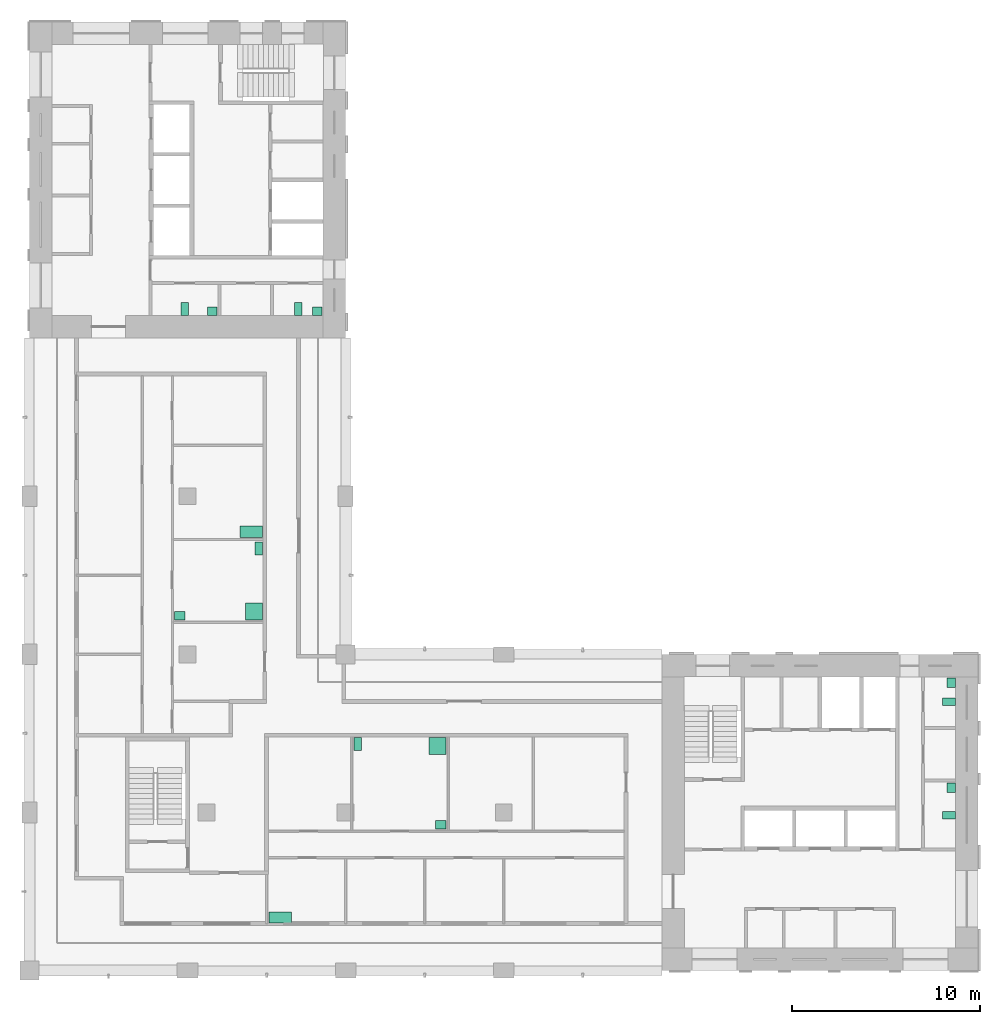
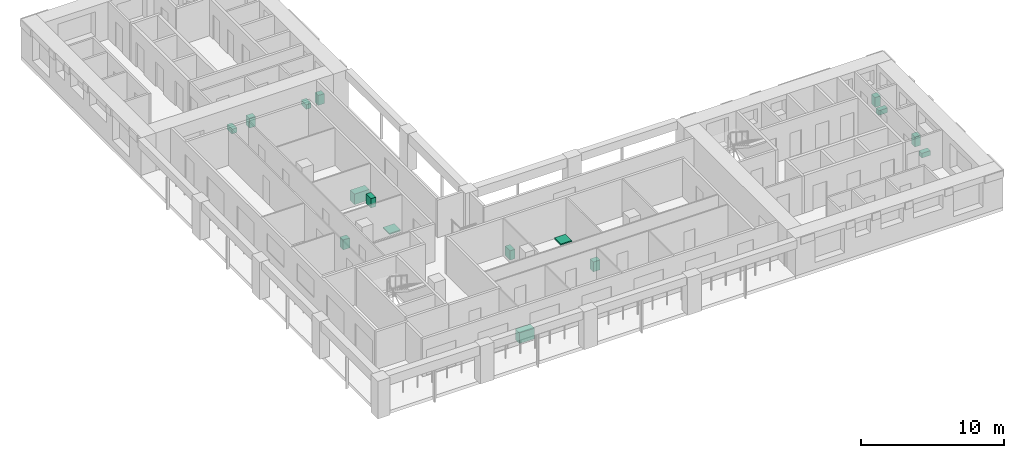
# One storey, part 9 of 9: 16 sanitary terminals.
"""IFC4 building model written with IfcOpenShell, lengths in metres."""

from ifc_helpers import new_model, si_unit, direction, frame, origin, origin_2d, place, context, subcontext, project, spatial, rectangle, extrude, material, element, save


model = new_model("IFC4")

# Units and contexts
model_context = context("Model", 3, precision=1e-05, world=origin(), true_north=direction((0.0, 1.0)))
body_context = subcontext(model_context, "Body", "Model", "MODEL_VIEW")
ifc_project = project(units=[si_unit("LENGTHUNIT", "METRE"), si_unit("AREAUNIT", "SQUARE_METRE"), si_unit("VOLUMEUNIT", "CUBIC_METRE"), si_unit("PLANEANGLEUNIT", "RADIAN"), si_unit("MASSUNIT", "GRAM", prefix="KILO")], contexts=[model_context])

# Site, building, storey
site_placement = place(None, origin())
site = spatial("IfcSite", under=ifc_project, at=site_placement, CompositionType="ELEMENT")
building_placement = place(site_placement, origin())
building = spatial("IfcBuilding", under=site, at=building_placement, Name="Vermilion Gate Residences", CompositionType="ELEMENT")
storey_placement = place(building_placement, frame((0.0, 0.0, 231.699951171875)))
storey = spatial("IfcBuildingStorey", under=building, at=storey_placement, Name="L60", CompositionType="ELEMENT", Elevation=231.699951171875)

# Sanitary terminals
ifc_material_1 = material(Name="Vitreous china")
sanitary_terminal_1_placement = place(storey_placement, frame((57.25, 16.659912109375, 0.0), z_axis=(0.0, 0.0, 1.0), x_axis=(1.0, 0.0, 0.0)))
element("IfcSanitaryTerminal", 1, at=sanitary_terminal_1_placement, inside=storey, material=ifc_material_1, Name="Toilet pan A60", PredefinedType="TOILETPAN", context=body_context, shape_type="SweptSolid", body=[
    extrude(rectangle(XDim=0.699951171875, YDim=0.39990234375, at=origin_2d()), origin(), (0.0, 0.0, 1.0), 0.39990234375),
])
sanitary_terminal_2_placement = place(storey_placement, frame((57.375, 18.1201171875, 0.0), z_axis=(0.0, 0.0, 1.0), x_axis=(1.0, 0.0, 0.0)))
element("IfcSanitaryTerminal", 2, at=sanitary_terminal_2_placement, inside=storey, material=ifc_material_1, Name="Washbasin A60", PredefinedType="WASHHANDBASIN", context=body_context, shape_type="SweptSolid", body=[
    extrude(rectangle(XDim=0.449951171875, YDim=0.5, at=origin_2d()), origin(), (0.0, 0.0, 1.0), 0.85009765625),
])
sanitary_terminal_3_placement = place(storey_placement, frame((57.25, 22.679931640625, 0.0), z_axis=(0.0, 0.0, 1.0), x_axis=(1.0, 0.0, 0.0)))
element("IfcSanitaryTerminal", 3, at=sanitary_terminal_3_placement, inside=storey, material=ifc_material_1, Name="Toilet pan A60", PredefinedType="TOILETPAN", context=body_context, shape_type="SweptSolid", body=[
    extrude(rectangle(XDim=0.699951171875, YDim=0.39990234375, at=origin_2d()), origin(), (0.0, 0.0, 1.0), 0.39990234375),
])
sanitary_terminal_4_placement = place(storey_placement, frame((57.375, 23.699951171875, 0.0), z_axis=(0.0, 0.0, 1.0), x_axis=(1.0, 0.0, 0.0)))
element("IfcSanitaryTerminal", 4, at=sanitary_terminal_4_placement, inside=storey, material=ifc_material_1, Name="Washbasin A60", PredefinedType="WASHHANDBASIN", context=body_context, shape_type="SweptSolid", body=[
    extrude(rectangle(XDim=0.449951171875, YDim=0.5, at=origin_2d()), origin(), (0.0, 0.0, 1.0), 0.85009765625),
])
sanitary_terminal_5_placement = place(storey_placement, frame((16.659912109375, 43.550048828125, 0.0), z_axis=(0.0, 0.0, 1.0), x_axis=(1.0, 0.0, 0.0)))
element("IfcSanitaryTerminal", 5, at=sanitary_terminal_5_placement, inside=storey, material=ifc_material_1, Name="Toilet pan B60", PredefinedType="TOILETPAN", context=body_context, shape_type="SweptSolid", body=[
    extrude(rectangle(XDim=0.39990234375, YDim=0.699951171875, at=origin_2d()), origin(), (0.0, 0.0, 1.0), 0.39990234375),
])
sanitary_terminal_6_placement = place(storey_placement, frame((18.1201171875, 43.425048828125, 0.0), z_axis=(0.0, 0.0, 1.0), x_axis=(1.0, 0.0, 0.0)))
element("IfcSanitaryTerminal", 6, at=sanitary_terminal_6_placement, inside=storey, material=ifc_material_1, Name="Washbasin B60", PredefinedType="WASHHANDBASIN", context=body_context, shape_type="SweptSolid", body=[
    extrude(rectangle(XDim=0.5, YDim=0.449951171875, at=origin_2d()), origin(), (0.0, 0.0, 1.0), 0.85009765625),
])
sanitary_terminal_7_placement = place(storey_placement, frame((22.679931640625, 43.550048828125, 0.0), z_axis=(0.0, 0.0, 1.0), x_axis=(1.0, 0.0, 0.0)))
element("IfcSanitaryTerminal", 7, at=sanitary_terminal_7_placement, inside=storey, material=ifc_material_1, Name="Toilet pan B60", PredefinedType="TOILETPAN", context=body_context, shape_type="SweptSolid", body=[
    extrude(rectangle(XDim=0.39990234375, YDim=0.699951171875, at=origin_2d()), origin(), (0.0, 0.0, 1.0), 0.39990234375),
])
sanitary_terminal_8_placement = place(storey_placement, frame((23.699951171875, 43.425048828125, 0.0), z_axis=(0.0, 0.0, 1.0), x_axis=(1.0, 0.0, 0.0)))
element("IfcSanitaryTerminal", 8, at=sanitary_terminal_8_placement, inside=storey, material=ifc_material_1, Name="Washbasin B60", PredefinedType="WASHHANDBASIN", context=body_context, shape_type="SweptSolid", body=[
    extrude(rectangle(XDim=0.5, YDim=0.449951171875, at=origin_2d()), origin(), (0.0, 0.0, 1.0), 0.85009765625),
])
ifc_material_2 = material(Name="Stainless steel", Category="steel")
sanitary_terminal_9_placement = place(storey_placement, frame((21.719970703125, 11.219970703125, 0.0), z_axis=(0.0, 0.0, 1.0), x_axis=(1.0, 0.0, 0.0)))
element("IfcSanitaryTerminal", 9, at=sanitary_terminal_9_placement, inside=storey, material=ifc_material_2, Name="Kitchen sink", PredefinedType="SINK", context=body_context, shape_type="SweptSolid", body=[
    extrude(rectangle(XDim=1.199951171875, YDim=0.60009765625, at=origin_2d()), origin(), (0.0, 0.0, 1.0), 0.89990234375),
])
sanitary_terminal_10_placement = place(storey_placement, frame((30.080078125, 20.330078125, 0.0), z_axis=(0.0, 0.0, 1.0), x_axis=(1.0, 0.0, 0.0)))
element("IfcSanitaryTerminal", 10, at=sanitary_terminal_10_placement, inside=storey, material=ifc_material_1, Name="Shower tray", PredefinedType="SHOWER", context=body_context, shape_type="SweptSolid", body=[
    extrude(rectangle(XDim=0.89990234375, YDim=0.89990234375, at=origin_2d()), origin(), (0.0, 0.0, 1.0), 0.10009765625),
])
sanitary_terminal_11_placement = place(storey_placement, frame((25.844970703125, 20.429931640625, 0.0), z_axis=(0.0, 0.0, 1.0), x_axis=(1.0, 0.0, 0.0)))
element("IfcSanitaryTerminal", 11, at=sanitary_terminal_11_placement, inside=storey, material=ifc_material_1, Name="Toilet", PredefinedType="TOILETPAN", context=body_context, shape_type="SweptSolid", body=[
    extrude(rectangle(XDim=0.39990234375, YDim=0.699951171875, at=origin_2d()), origin(), (0.0, 0.0, 1.0), 0.800048828125),
])
sanitary_terminal_12_placement = place(storey_placement, frame((30.2548828125, 16.14501953125, 0.0), z_axis=(0.0, 0.0, 1.0), x_axis=(1.0, 0.0, 0.0)))
element("IfcSanitaryTerminal", 12, at=sanitary_terminal_12_placement, inside=storey, material=ifc_material_1, Name="Wash basin", PredefinedType="WASHHANDBASIN", context=body_context, shape_type="SweptSolid", body=[
    extrude(rectangle(XDim=0.550048828125, YDim=0.449951171875, at=origin_2d()), origin(), (0.0, 0.0, 1.0), 0.85009765625),
])
sanitary_terminal_13_placement = place(storey_placement, frame((20.330078125, 27.469970703125, 0.0), z_axis=(0.0, 0.0, 1.0), x_axis=(1.0, 0.0, 0.0)))
element("IfcSanitaryTerminal", 13, at=sanitary_terminal_13_placement, inside=storey, material=ifc_material_1, Name="Shower tray", PredefinedType="SHOWER", context=body_context, shape_type="SweptSolid", body=[
    extrude(rectangle(XDim=0.89990234375, YDim=0.89990234375, at=origin_2d()), origin(), (0.0, 0.0, 1.0), 0.10009765625),
])
sanitary_terminal_14_placement = place(storey_placement, frame((20.580078125, 30.830078125, 0.0), z_axis=(0.0, 0.0, 1.0), x_axis=(1.0, 0.0, 0.0)))
element("IfcSanitaryTerminal", 14, at=sanitary_terminal_14_placement, inside=storey, material=ifc_material_1, Name="Toilet", PredefinedType="TOILETPAN", context=body_context, shape_type="SweptSolid", body=[
    extrude(rectangle(XDim=0.39990234375, YDim=0.699951171875, at=origin_2d()), origin(), (0.0, 0.0, 1.0), 0.800048828125),
])
sanitary_terminal_15_placement = place(storey_placement, frame((16.39501953125, 27.2451171875, 0.0), z_axis=(0.0, 0.0, 1.0), x_axis=(1.0, 0.0, 0.0)))
element("IfcSanitaryTerminal", 15, at=sanitary_terminal_15_placement, inside=storey, material=ifc_material_1, Name="Wash basin", PredefinedType="WASHHANDBASIN", context=body_context, shape_type="SweptSolid", body=[
    extrude(rectangle(XDim=0.550048828125, YDim=0.449951171875, at=origin_2d()), origin(), (0.0, 0.0, 1.0), 0.85009765625),
])
sanitary_terminal_16_placement = place(storey_placement, frame((20.179931640625, 31.719970703125, 0.0), z_axis=(0.0, 0.0, 1.0), x_axis=(1.0, 0.0, 0.0)))
element("IfcSanitaryTerminal", 16, at=sanitary_terminal_16_placement, inside=storey, material=ifc_material_2, Name="Kitchen sink", PredefinedType="SINK", context=body_context, shape_type="SweptSolid", body=[
    extrude(rectangle(XDim=1.199951171875, YDim=0.60009765625, at=origin_2d()), origin(), (0.0, 0.0, 1.0), 0.89990234375),
])

save(model, "model.ifc")
